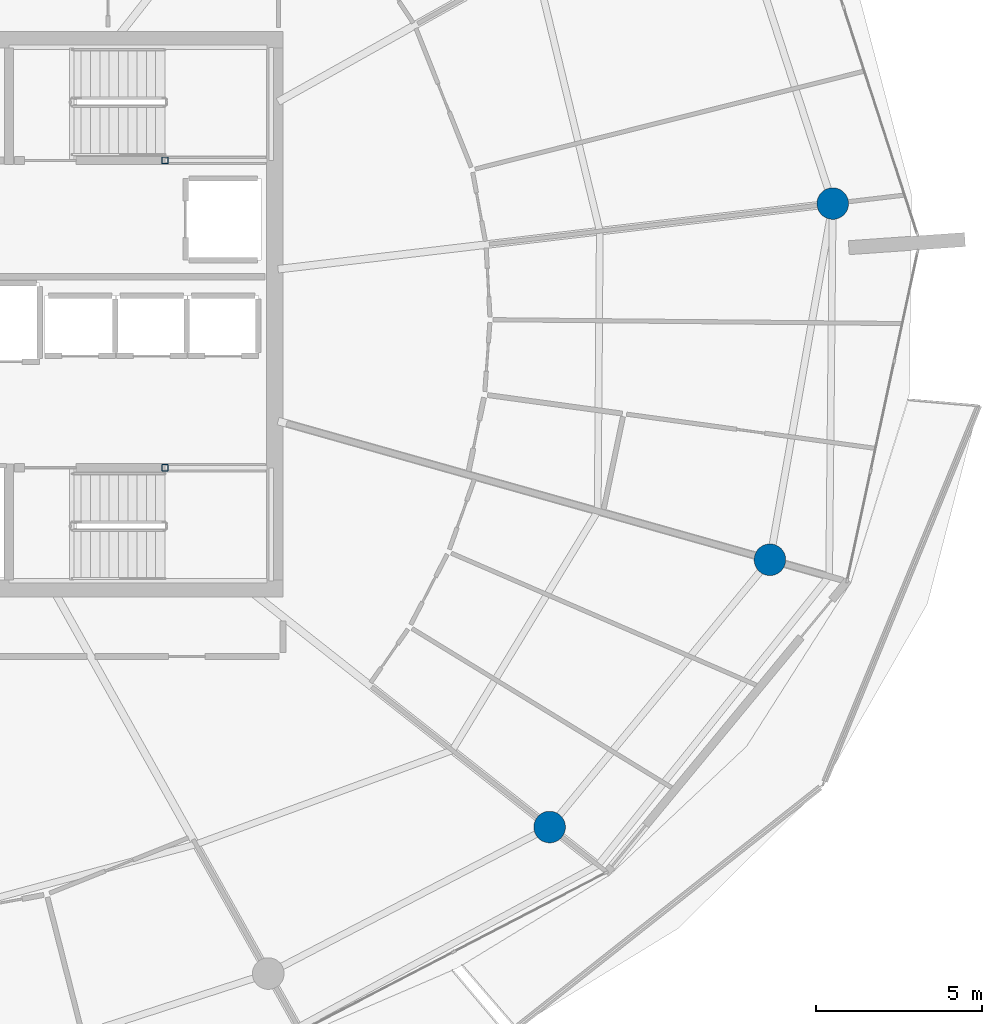
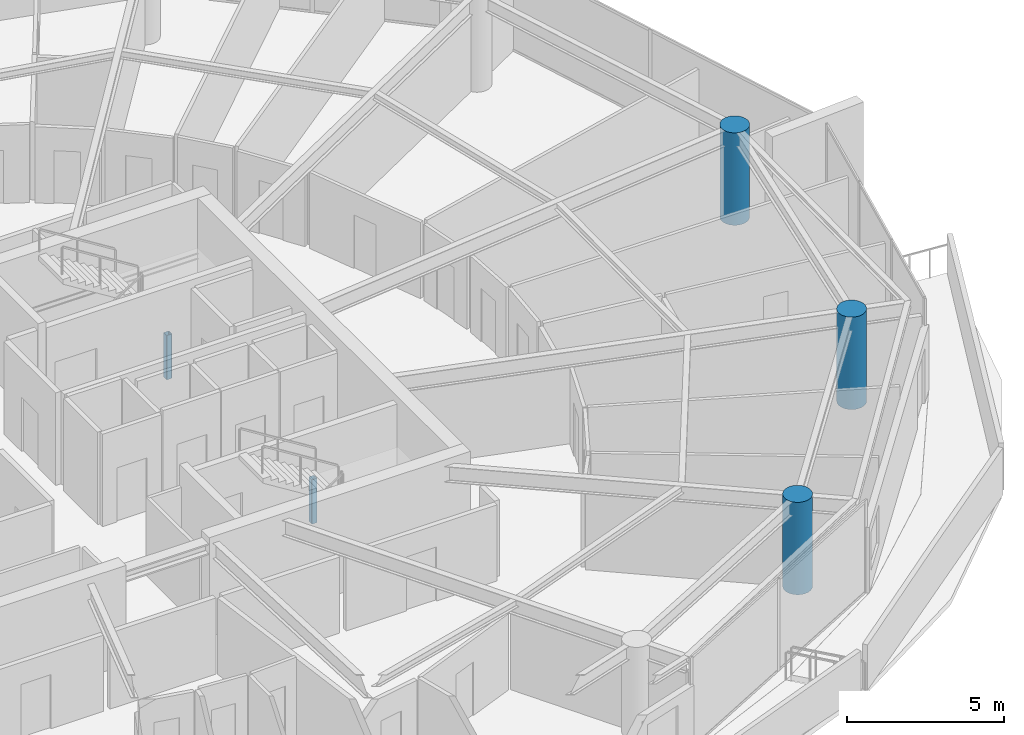
# One storey, part 3 of 29: 5 columns.
"""IFC4 building model written with IfcOpenShell, lengths in metres."""

from ifc_helpers import new_model, si_unit, direction, frame, origin, origin_2d, place, context, subcontext, project, spatial, hollow_rectangle, circle, extrude, material, material_profile, profile_set, type_object, element, save


model = new_model("IFC4")

# Units and contexts
model_context = context("Model", 3, precision=1e-05, world=origin(), true_north=direction((0.0, 1.0)))
body_context = subcontext(model_context, "Body", "Model", "MODEL_VIEW")
ifc_project = project(units=[si_unit("LENGTHUNIT", "METRE"), si_unit("AREAUNIT", "SQUARE_METRE"), si_unit("VOLUMEUNIT", "CUBIC_METRE"), si_unit("PLANEANGLEUNIT", "RADIAN"), si_unit("MASSUNIT", "GRAM", prefix="KILO")], contexts=[model_context])

# Site, building, storey
site_placement = place(None, origin())
site = spatial("IfcSite", under=ifc_project, at=site_placement, CompositionType="ELEMENT")
building_placement = place(site_placement, origin())
building = spatial("IfcBuilding", under=site, at=building_placement, Name="Kazma Halo Residences", CompositionType="ELEMENT")
storey_placement = place(building_placement, frame((0.0, 0.0, 282.89990234375)))
storey = spatial("IfcBuildingStorey", under=building, at=storey_placement, Name="L71", CompositionType="ELEMENT", Elevation=282.89990234375)

# Columns
ifc_material_1 = material(Name="Steel S355", Category="steel")
ifc_material_profile_1 = material_profile(ifc_material_1, hollow_rectangle(XDim=0.199951171875, YDim=0.199951171875, WallThickness=0.010009765625, InnerFilletRadius=0.010009765625, OuterFilletRadius=0.02001953125, at=origin_2d()), Name="SHS200x200x10")
ifc_profile_set_1 = profile_set([ifc_material_profile_1], Name="Steel S355")
column_type_1 = type_object("IfcColumnType", Name="COL-LP-SHS200", PredefinedType="COLUMN", material=ifc_profile_set_1)
for number, where, z_axis, x_axis, name in (
    (1, (56.0, 46.6201171875, 0.0), (0.0, 0.0, 1.0), (1.0, 0.0, 0.0), "L71 ST-02 landing pilaster 1"),
    (2, (56.0, 37.3798828125, 0.0), (0.0, 0.0, 1.0), (1.0, 0.0, 0.0), "L71 ST-03 landing pilaster 1"),
):
    element("IfcColumn", number, at=place(storey_placement, frame(where, z_axis=z_axis, x_axis=x_axis)), inside=storey, type_object=column_type_1, Name=name, PredefinedType="COLUMN", context=body_context, shape_type="SweptSolid", body=[
        extrude(hollow_rectangle(XDim=0.199951171875, YDim=0.199951171875, WallThickness=0.010009765625, InnerFilletRadius=0.010009765625, OuterFilletRadius=0.02001953125, at=origin_2d()), origin(), (0.0, 0.0, 1.0), 1.72021484375),
    ])
ifc_material_2 = material(Name="Concrete C60/75", Category="concrete")
ifc_material_profile_2 = material_profile(ifc_material_2, circle(Radius=0.47509765625, at=origin_2d()), Name="CIRC950")
ifc_profile_set_2 = profile_set([ifc_material_profile_2], Name="Concrete C60/75")
column_type_2 = type_object("IfcColumnType", Name="COL-PERIM-950", PredefinedType="COLUMN", material=ifc_profile_set_2)
for number, where, z_axis, x_axis, name in (
    (3, (67.566162109375, 26.5751953125, 0.0), (0.0, 0.0, 1.0), (1.0, 0.0, 0.0), "L71 perimeter ring column P14"),
    (4, (74.19091796875, 34.61328125, 0.0), (0.0, 0.0, 1.0), (1.0, 0.0, 0.0), "L71 perimeter ring column P15"),
    (5, (76.07958984375, 45.323486328125, 0.0), (0.0, 0.0, 1.0), (1.0, 0.0, 0.0), "L71 perimeter ring column P16"),
):
    element("IfcColumn", number, at=place(storey_placement, frame(where, z_axis=z_axis, x_axis=x_axis)), inside=storey, type_object=column_type_2, Name=name, PredefinedType="COLUMN", context=body_context, shape_type="SweptSolid", body=[
        extrude(circle(Radius=0.47509765625, at=origin_2d()), origin(), (0.0, 0.0, 1.0), 3.590087890625),
    ])

save(model, "model.ifc")
